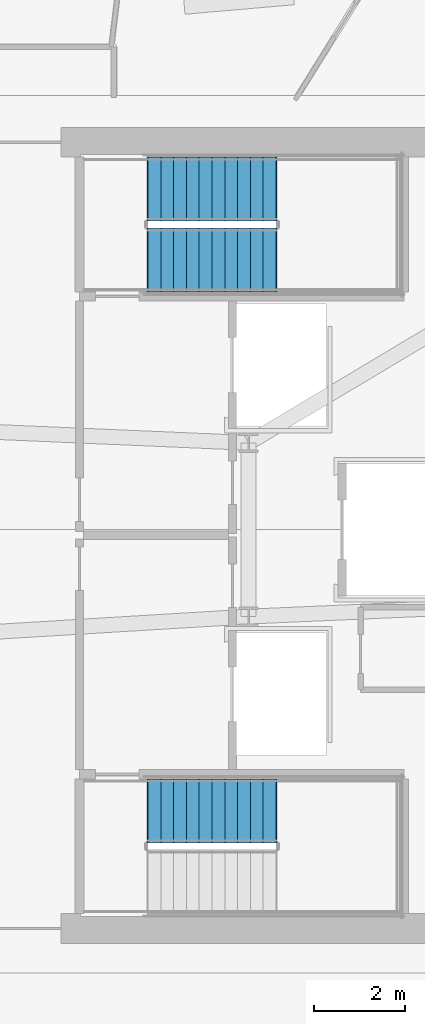
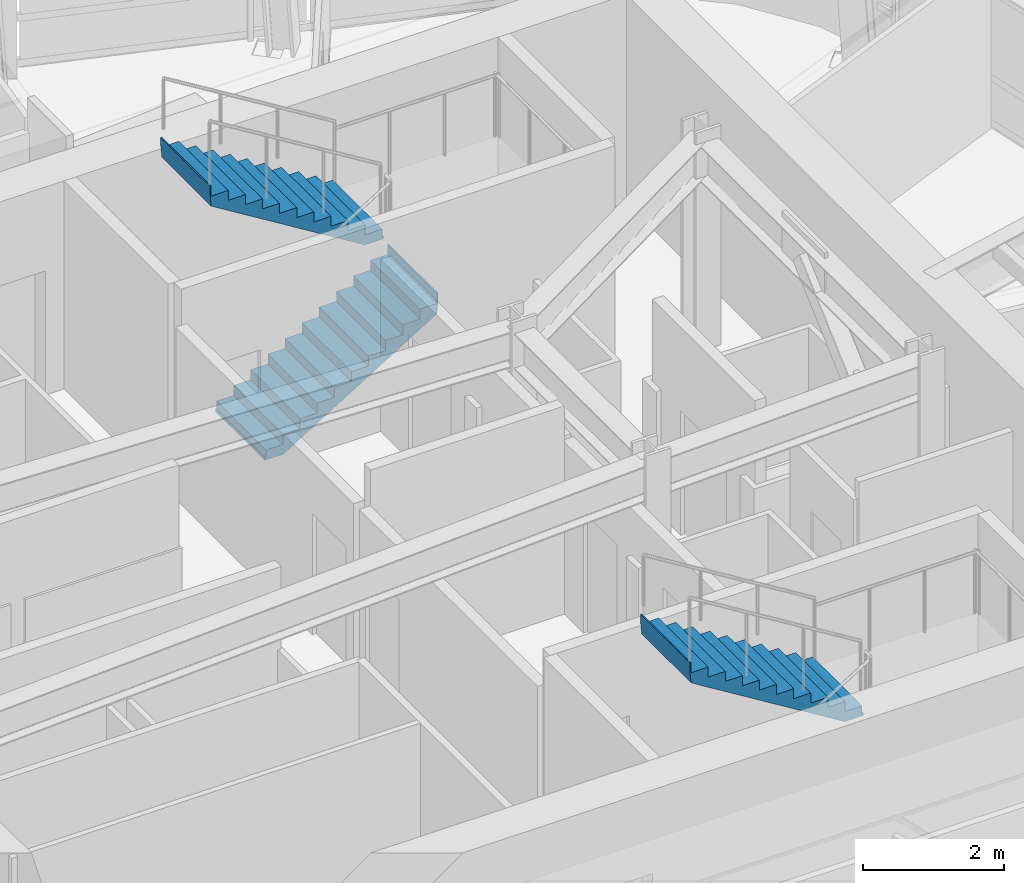
# One storey, part 10 of 15: 3 stair flights, 2 elements without a shape of their own.
"""IFC4 building model written with IfcOpenShell, lengths in metres."""

from ifc_helpers import new_model, si_unit, direction, frame, origin, place, context, subcontext, project, spatial, polyline, outline, extrude, material, type_object, element, aggregate, save


model = new_model("IFC4")

# Units and contexts
model_context = context("Model", 3, precision=1e-05, world=origin(), true_north=direction((0.0, 1.0)))
body_context = subcontext(model_context, "Body", "Model", "MODEL_VIEW")
ifc_project = project(units=[si_unit("LENGTHUNIT", "METRE"), si_unit("AREAUNIT", "SQUARE_METRE"), si_unit("VOLUMEUNIT", "CUBIC_METRE"), si_unit("PLANEANGLEUNIT", "RADIAN"), si_unit("MASSUNIT", "GRAM", prefix="KILO")], contexts=[model_context])

# Site, building, storey
site_placement = place(None, origin())
site = spatial("IfcSite", under=ifc_project, at=site_placement, CompositionType="ELEMENT")
building_placement = place(site_placement, origin())
building = spatial("IfcBuilding", under=site, at=building_placement, Name="Valkerne Bourse Tower", CompositionType="ELEMENT")
storey_placement = place(building_placement, frame((0.0, 0.0, 205.60009765625)))
storey = spatial("IfcBuildingStorey", under=building, at=storey_placement, Name="L52", CompositionType="ELEMENT", Elevation=205.60009765625)

# Stair, stair flight
ifc_material = material(Name="Concrete C40/50", Category="concrete")
stair_type = type_object("IfcStairType", Name="ST-CORE-1400", PredefinedType="HALF_TURN_STAIR", material=ifc_material)
stair_1_placement = place(storey_placement, origin())
stair_1 = element("IfcStair", 1, at=stair_1_placement, inside=storey, type_object=stair_type, Name="L52 ST-1", PredefinedType="HALF_TURN_STAIR")
stair_flight_type = type_object("IfcStairFlightType", Name="STF-CORE-1400", PredefinedType="STRAIGHT", material=ifc_material)
stair_flight_1_placement = place(storey_placement, frame((50.949951171875, 20.85009765625, 1.89990234375), z_axis=(0.0, 0.0, 1.0), x_axis=(-1.0, 0.0, 0.0)))
stair_flight_1 = element("IfcStairFlight", 2, at=stair_flight_1_placement, type_object=stair_flight_type, Name="ST-1 flight 2", NumberOfRisers=11, NumberOfTreads=10, PredefinedType="STRAIGHT", RiserHeight=0.172727273, TreadLength=0.28, context=body_context, shape_type="SweptSolid", body=[
    extrude(outline(polyline([(-0.02001953125, 0.0), (-0.02001953125, 0.044921875), (0.0, 0.044921875), (0.0, 0.172607421875), (0.280029296875, 0.172607421875), (0.280029296875, 0.345458984375), (0.56005859375, 0.345458984375), (0.56005859375, 0.51806640625), (0.840087890625, 0.51806640625), (0.840087890625, 0.69091796875), (1.1201171875, 0.69091796875), (1.1201171875, 0.863525390625), (1.39990234375, 0.863525390625), (1.39990234375, 1.036376953125), (1.679931640625, 1.036376953125), (1.679931640625, 1.208984375), (1.9599609375, 1.208984375), (1.9599609375, 1.3818359375), (2.239990234375, 1.3818359375), (2.239990234375, 1.554443359375), (2.52001953125, 1.554443359375), (2.52001953125, 1.727294921875), (2.800048828125, 1.727294921875), (2.800048828125, 1.89990234375), (2.820068359375, 1.89990234375), (2.820068359375, 1.780029296875), (2.800048828125, 1.551025390625), (0.285400390625, 0.0), (-0.02001953125, 0.0)])), frame((0.0, 0.699951171875, 0.0), z_axis=(0.0, -1.0, 0.0), x_axis=(1.0, 0.0, 0.0)), (0.0, 0.0, 1.0), 1.39990234375),
])
aggregate(stair_1, [stair_flight_1])

# Stair, stair flights
stair_2_placement = place(storey_placement, origin())
stair_2 = element("IfcStair", 3, at=stair_2_placement, inside=storey, type_object=stair_type, Name="L52 ST-2", PredefinedType="HALF_TURN_STAIR")
stair_flight_2_placement = place(storey_placement, frame((48.14990234375, 32.89990234375, 0.0), z_axis=(0.0, 0.0, 1.0), x_axis=(1.0, 0.0, 0.0)))
stair_flight_2 = element("IfcStairFlight", 4, at=stair_flight_2_placement, type_object=stair_flight_type, Name="ST-2 flight 1", NumberOfRisers=11, NumberOfTreads=10, PredefinedType="STRAIGHT", RiserHeight=0.172727273, TreadLength=0.28, context=body_context, shape_type="SweptSolid", body=[
    extrude(outline(polyline([(-0.02001953125, 0.0), (-0.02001953125, 0.044921875), (0.0, 0.044921875), (0.0, 0.172607421875), (0.280029296875, 0.172607421875), (0.280029296875, 0.345458984375), (0.56005859375, 0.345458984375), (0.56005859375, 0.51806640625), (0.840087890625, 0.51806640625), (0.840087890625, 0.69091796875), (1.1201171875, 0.69091796875), (1.1201171875, 0.863525390625), (1.39990234375, 0.863525390625), (1.39990234375, 1.036376953125), (1.679931640625, 1.036376953125), (1.679931640625, 1.208984375), (1.9599609375, 1.208984375), (1.9599609375, 1.3818359375), (2.239990234375, 1.3818359375), (2.239990234375, 1.554443359375), (2.52001953125, 1.554443359375), (2.52001953125, 1.727294921875), (2.800048828125, 1.727294921875), (2.800048828125, 1.89990234375), (2.820068359375, 1.89990234375), (2.820068359375, 1.780029296875), (2.800048828125, 1.551025390625), (0.285400390625, 0.0), (-0.02001953125, 0.0)])), frame((0.0, 0.699951171875, 0.0), z_axis=(0.0, -1.0, 0.0), x_axis=(1.0, 0.0, 0.0)), (0.0, 0.0, 1.0), 1.39990234375),
])
stair_flight_3_placement = place(storey_placement, frame((50.949951171875, 34.449951171875, 1.89990234375), z_axis=(0.0, 0.0, 1.0), x_axis=(-1.0, 0.0, 0.0)))
stair_flight_3 = element("IfcStairFlight", 5, at=stair_flight_3_placement, type_object=stair_flight_type, Name="ST-2 flight 2", NumberOfRisers=11, NumberOfTreads=10, PredefinedType="STRAIGHT", RiserHeight=0.172727273, TreadLength=0.28, context=body_context, shape_type="SweptSolid", body=[
    extrude(outline(polyline([(-0.02001953125, 0.0), (-0.02001953125, 0.044921875), (0.0, 0.044921875), (0.0, 0.172607421875), (0.280029296875, 0.172607421875), (0.280029296875, 0.345458984375), (0.56005859375, 0.345458984375), (0.56005859375, 0.51806640625), (0.840087890625, 0.51806640625), (0.840087890625, 0.69091796875), (1.1201171875, 0.69091796875), (1.1201171875, 0.863525390625), (1.39990234375, 0.863525390625), (1.39990234375, 1.036376953125), (1.679931640625, 1.036376953125), (1.679931640625, 1.208984375), (1.9599609375, 1.208984375), (1.9599609375, 1.3818359375), (2.239990234375, 1.3818359375), (2.239990234375, 1.554443359375), (2.52001953125, 1.554443359375), (2.52001953125, 1.727294921875), (2.800048828125, 1.727294921875), (2.800048828125, 1.89990234375), (2.820068359375, 1.89990234375), (2.820068359375, 1.780029296875), (2.800048828125, 1.551025390625), (0.285400390625, 0.0), (-0.02001953125, 0.0)])), frame((0.0, 0.699951171875, 0.0), z_axis=(0.0, -1.0, 0.0), x_axis=(1.0, 0.0, 0.0)), (0.0, 0.0, 1.0), 1.39990234375),
])
aggregate(stair_2, [stair_flight_2, stair_flight_3])

save(model, "model.ifc")
